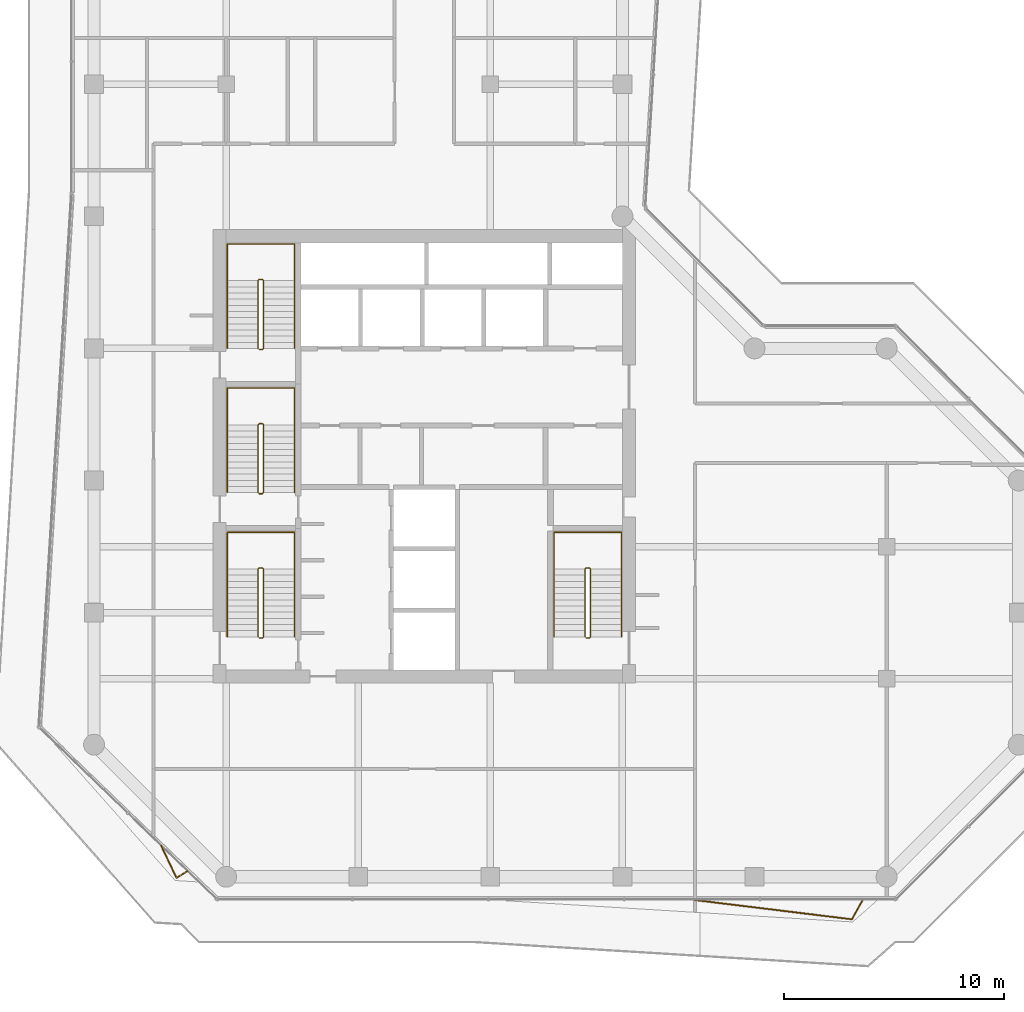
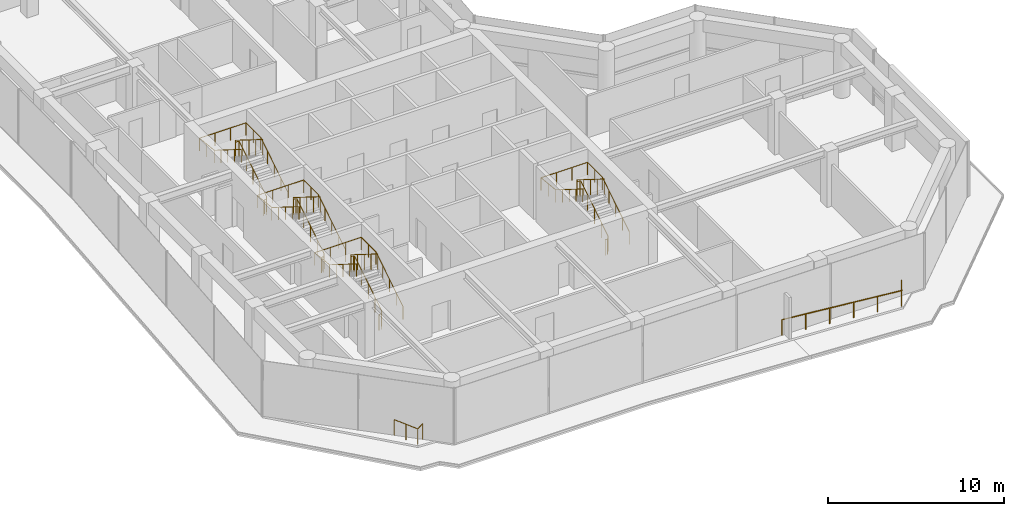
# One storey, part 21 of 22: 10 railings.
"""IFC4 building model written with IfcOpenShell, lengths in metres."""

from ifc_helpers import new_model, si_unit, direction, frame, origin, origin_2d, place, context, subcontext, project, spatial, circle, extrude, material, type_object, element, save


model = new_model("IFC4")

# Units and contexts
model_context = context("Model", 3, precision=1e-05, world=origin(), true_north=direction((0.0, 1.0)))
body_context = subcontext(model_context, "Body", "Model", "MODEL_VIEW")
ifc_project = project(units=[si_unit("LENGTHUNIT", "METRE"), si_unit("AREAUNIT", "SQUARE_METRE"), si_unit("VOLUMEUNIT", "CUBIC_METRE"), si_unit("PLANEANGLEUNIT", "RADIAN"), si_unit("MASSUNIT", "GRAM", prefix="KILO")], contexts=[model_context])

# Site, building, storey
site_placement = place(None, origin())
site = spatial("IfcSite", under=ifc_project, at=site_placement, CompositionType="ELEMENT")
building_placement = place(site_placement, origin())
building = spatial("IfcBuilding", under=site, at=building_placement, Name="Welwitschia Terrace Campus", CompositionType="ELEMENT")
storey_placement = place(building_placement, frame((0.0, 0.0, 155.0)))
storey = spatial("IfcBuildingStorey", under=building, at=storey_placement, Name="L34", CompositionType="ELEMENT", Elevation=155.0)

# Railings
ifc_material_1 = material(Name="Stainless steel grade 316", Category="steel")
railing_type_1 = type_object("IfcRailingType", Name="Guard 1100", PredefinedType="GUARDRAIL", material=ifc_material_1)
railing_1_placement = place(storey_placement, frame((4.24169921875, -3.741455078125, 0.0)))
element("IfcRailing", 1, at=railing_1_placement, inside=storey, type_object=railing_type_1, Name="Guard floor edge L34.1", PredefinedType="GUARDRAIL", context=body_context, shape_type="SweptSolid", body=[
    extrude(circle(Radius=0.02392578125, at=origin_2d()), frame((0.0, 0.0, 1.076171875), z_axis=(-0.845954224007, -0.533255521195, 0.0), x_axis=(0.533255521195, -0.845954224007, 0.0)), (0.0, 0.0, 1.0), 0.58544921875),
    extrude(circle(Radius=0.02392578125, at=origin_2d()), frame((-0.495361328125, -0.312255859375, 1.076171875), z_axis=(-0.431354973563, 0.902182291326, 0.0), x_axis=(-0.902182291326, -0.431354973563, 0.0)), (0.0, 0.0, 1.0), 1.6328125),
    extrude(circle(Radius=0.02099609375, at=origin_2d()), origin(), (0.0, 0.0, 1.0), 1.052001953125),
    extrude(circle(Radius=0.02099609375, at=origin_2d()), frame((-0.495361328125, -0.312255859375, 0.0)), (0.0, 0.0, 1.0), 1.052001953125),
    extrude(circle(Radius=0.02099609375, at=origin_2d()), frame((-0.84765625, 0.42431640625, 0.0)), (0.0, 0.0, 1.0), 1.052001953125),
    extrude(circle(Radius=0.02099609375, at=origin_2d()), frame((-1.19970703125, 1.160888671875, 0.0)), (0.0, 0.0, 1.0), 1.052001953125),
])
railing_2_placement = place(storey_placement, frame((34.92626953125, -5.030029296875, 0.0)))
element("IfcRailing", 2, at=railing_2_placement, inside=storey, type_object=railing_type_1, Name="Guard floor edge L34.3", PredefinedType="GUARDRAIL", context=body_context, shape_type="SweptSolid", body=[
    extrude(circle(Radius=0.02392578125, at=origin_2d()), frame((0.0, 0.0, 1.076171875), z_axis=(-0.491730200301, -0.870747615622, 0.0), x_axis=(0.870747615622, -0.491730200301, 0.0)), (0.0, 0.0, 1.0), 1.033203125),
    extrude(circle(Radius=0.02392578125, at=origin_2d()), frame((-0.508056640625, -0.899658203125, 1.076171875), z_axis=(-0.992594583606, 0.12147424664, 0.0), x_axis=(-0.12147424664, -0.992594583606, 0.0)), (0.0, 0.0, 1.0), 7.40625),
    extrude(circle(Radius=0.02099609375, at=origin_2d()), origin(), (0.0, 0.0, 1.0), 1.052001953125),
    extrude(circle(Radius=0.02099609375, at=origin_2d()), frame((-0.508056640625, -0.899658203125, 0.0)), (0.0, 0.0, 1.0), 1.052001953125),
    extrude(circle(Radius=0.02099609375, at=origin_2d()), frame((-1.978271484375, -0.7197265625, 0.0)), (0.0, 0.0, 1.0), 1.052001953125),
    extrude(circle(Radius=0.02099609375, at=origin_2d()), frame((-3.448486328125, -0.539794921875, 0.0)), (0.0, 0.0, 1.0), 1.052001953125),
    extrude(circle(Radius=0.02099609375, at=origin_2d()), frame((-4.9189453125, -0.35986328125, 0.0)), (0.0, 0.0, 1.0), 1.052001953125),
    extrude(circle(Radius=0.02099609375, at=origin_2d()), frame((-6.38916015625, -0.179931640625, 0.0)), (0.0, 0.0, 1.0), 1.052001953125),
    extrude(circle(Radius=0.02099609375, at=origin_2d()), frame((-7.859375, 0.0, 0.0)), (0.0, 0.0, 1.0), 1.052001953125),
])
ifc_material_2 = material(Name="Steel S355", Category="steel")
railing_type_2 = type_object("IfcRailingType", Name="Stair guard 1100", PredefinedType="GUARDRAIL", material=ifc_material_2)
railing_3_placement = place(storey_placement, frame((7.5, 6.85009765625, 0.0)))
element("IfcRailing", 3, at=railing_3_placement, inside=storey, type_object=railing_type_2, Name="L34 S1 stair guard", PredefinedType="GUARDRAIL", context=body_context, shape_type="SweptSolid", body=[
    extrude(circle(Radius=0.02392578125, at=origin_2d()), frame((0.0, 0.0, 1.076171875), z_axis=(1.0, 0.0, 0.0), x_axis=(0.0, 1.0, 0.0)), (0.0, 0.0, 1.0), 0.14990234375),
    extrude(circle(Radius=0.02392578125, at=origin_2d()), frame((0.14990234375, 0.0, 1.076171875), z_axis=(0.265155923931, 0.263862480399, 0.927399011991), x_axis=(-0.705375805398, 0.708833529934, 0.0)), (0.0, 0.0, 1.0), 0.188720703125),
    extrude(circle(Radius=0.02392578125, at=origin_2d()), frame((0.199951171875, 0.0498046875, 1.2509765625), z_axis=(0.0, 0.847998304005, 0.529998940003), x_axis=(-1.0, 0.0, 0.0)), (0.0, 0.0, 1.0), 3.632080078125),
    extrude(circle(Radius=0.02392578125, at=origin_2d()), frame((0.199951171875, 3.1298828125, 3.17626953125), z_axis=(-0.707106781187, 0.707106781187, 0.0), x_axis=(-0.707106781187, -0.707106781187, 0.0)), (0.0, 0.0, 1.0), 0.07080078125),
    extrude(circle(Radius=0.02392578125, at=origin_2d()), frame((0.14990234375, 3.179931640625, 3.17626953125), z_axis=(-1.0, 0.0, 0.0), x_axis=(0.0, -1.0, 0.0)), (0.0, 0.0, 1.0), 0.14990234375),
    extrude(circle(Radius=0.02392578125, at=origin_2d()), frame((0.0, 3.179931640625, 3.17626953125), z_axis=(-0.265383341853, -0.265383341853, 0.926899867156), x_axis=(0.707106781187, -0.707106781187, 0.0)), (0.0, 0.0, 1.0), 0.1884765625),
    extrude(circle(Radius=0.02392578125, at=origin_2d()), frame((-0.050048828125, 3.1298828125, 3.35107421875), z_axis=(0.0, -0.847998304005, 0.529998940003), x_axis=(1.0, 0.0, 0.0)), (0.0, 0.0, 1.0), 3.632080078125),
    extrude(circle(Radius=0.02099609375, at=origin_2d()), origin(), (0.0, 0.0, 1.0), 1.052001953125),
    extrude(circle(Radius=0.02099609375, at=origin_2d()), frame((0.14990234375, 0.0, 0.0)), (0.0, 0.0, 1.0), 1.052001953125),
    extrude(circle(Radius=0.02099609375, at=origin_2d()), frame((0.199951171875, 0.0498046875, 0.175048828125)), (0.0, 0.0, 1.0), 1.052001953125),
    extrude(circle(Radius=0.02099609375, at=origin_2d()), frame((0.199951171875, 0.81982421875, 0.65625)), (0.0, 0.0, 1.0), 1.052001953125),
    extrude(circle(Radius=0.02099609375, at=origin_2d()), frame((0.199951171875, 1.58984375, 1.1376953125)), (0.0, 0.0, 1.0), 1.052001953125),
    extrude(circle(Radius=0.02099609375, at=origin_2d()), frame((0.199951171875, 2.35986328125, 1.618896484375)), (0.0, 0.0, 1.0), 1.052001953125),
    extrude(circle(Radius=0.02099609375, at=origin_2d()), frame((0.199951171875, 3.1298828125, 2.10009765625)), (0.0, 0.0, 1.0), 1.052001953125),
    extrude(circle(Radius=0.02099609375, at=origin_2d()), frame((0.14990234375, 3.179931640625, 2.10009765625)), (0.0, 0.0, 1.0), 1.052001953125),
    extrude(circle(Radius=0.02099609375, at=origin_2d()), frame((0.0, 3.179931640625, 2.10009765625)), (0.0, 0.0, 1.0), 1.052001953125),
    extrude(circle(Radius=0.02099609375, at=origin_2d()), frame((-0.050048828125, 3.1298828125, 2.27490234375)), (0.0, 0.0, 1.0), 1.052001953125),
    extrude(circle(Radius=0.02099609375, at=origin_2d()), frame((-0.050048828125, 2.35986328125, 2.756103515625)), (0.0, 0.0, 1.0), 1.052001953125),
    extrude(circle(Radius=0.02099609375, at=origin_2d()), frame((-0.050048828125, 1.58984375, 3.2373046875)), (0.0, 0.0, 1.0), 1.052001953125),
    extrude(circle(Radius=0.02099609375, at=origin_2d()), frame((-0.050048828125, 0.81982421875, 3.71875)), (0.0, 0.0, 1.0), 1.052001953125),
    extrude(circle(Radius=0.02099609375, at=origin_2d()), frame((-0.050048828125, 0.0498046875, 4.199951171875)), (0.0, 0.0, 1.0), 1.052001953125),
])
railing_4_placement = place(storey_placement, frame((7.5, 13.39990234375, 0.0)))
element("IfcRailing", 4, at=railing_4_placement, inside=storey, type_object=railing_type_2, Name="L34 S3 stair guard", PredefinedType="GUARDRAIL", context=body_context, shape_type="SweptSolid", body=[
    extrude(circle(Radius=0.02392578125, at=origin_2d()), frame((0.0, 0.0, 1.076171875), z_axis=(1.0, 0.0, 0.0), x_axis=(0.0, 1.0, 0.0)), (0.0, 0.0, 1.0), 0.14990234375),
    extrude(circle(Radius=0.02392578125, at=origin_2d()), frame((0.14990234375, 0.0, 1.076171875), z_axis=(0.265065253269, 0.265065253269, 0.927081885822), x_axis=(-0.707106781187, 0.707106781187, 0.0)), (0.0, 0.0, 1.0), 0.188720703125),
    extrude(circle(Radius=0.02392578125, at=origin_2d()), frame((0.199951171875, 0.050048828125, 1.2509765625), z_axis=(0.0, 0.847998304005, 0.529998940003), x_axis=(-1.0, 0.0, 0.0)), (0.0, 0.0, 1.0), 3.632080078125),
    extrude(circle(Radius=0.02392578125, at=origin_2d()), frame((0.199951171875, 3.130126953125, 3.17626953125), z_axis=(-0.707106781187, 0.707106781187, 0.0), x_axis=(-0.707106781187, -0.707106781187, 0.0)), (0.0, 0.0, 1.0), 0.07080078125),
    extrude(circle(Radius=0.02392578125, at=origin_2d()), frame((0.14990234375, 3.18017578125, 3.17626953125), z_axis=(-1.0, 0.0, 0.0), x_axis=(0.0, -1.0, 0.0)), (0.0, 0.0, 1.0), 0.14990234375),
    extrude(circle(Radius=0.02392578125, at=origin_2d()), frame((0.0, 3.18017578125, 3.17626953125), z_axis=(-0.265383341853, -0.265383341853, 0.926899867156), x_axis=(0.707106781187, -0.707106781187, 0.0)), (0.0, 0.0, 1.0), 0.1884765625),
    extrude(circle(Radius=0.02392578125, at=origin_2d()), frame((-0.050048828125, 3.130126953125, 3.35107421875), z_axis=(0.0, -0.847998304005, 0.529998940003), x_axis=(1.0, 0.0, 0.0)), (0.0, 0.0, 1.0), 3.632080078125),
    extrude(circle(Radius=0.02099609375, at=origin_2d()), origin(), (0.0, 0.0, 1.0), 1.052001953125),
    extrude(circle(Radius=0.02099609375, at=origin_2d()), frame((0.14990234375, 0.0, 0.0)), (0.0, 0.0, 1.0), 1.052001953125),
    extrude(circle(Radius=0.02099609375, at=origin_2d()), frame((0.199951171875, 0.050048828125, 0.175048828125)), (0.0, 0.0, 1.0), 1.052001953125),
    extrude(circle(Radius=0.02099609375, at=origin_2d()), frame((0.199951171875, 0.820068359375, 0.65625)), (0.0, 0.0, 1.0), 1.052001953125),
    extrude(circle(Radius=0.02099609375, at=origin_2d()), frame((0.199951171875, 1.590087890625, 1.1376953125)), (0.0, 0.0, 1.0), 1.052001953125),
    extrude(circle(Radius=0.02099609375, at=origin_2d()), frame((0.199951171875, 2.360107421875, 1.618896484375)), (0.0, 0.0, 1.0), 1.052001953125),
    extrude(circle(Radius=0.02099609375, at=origin_2d()), frame((0.199951171875, 3.130126953125, 2.10009765625)), (0.0, 0.0, 1.0), 1.052001953125),
    extrude(circle(Radius=0.02099609375, at=origin_2d()), frame((0.14990234375, 3.18017578125, 2.10009765625)), (0.0, 0.0, 1.0), 1.052001953125),
    extrude(circle(Radius=0.02099609375, at=origin_2d()), frame((0.0, 3.18017578125, 2.10009765625)), (0.0, 0.0, 1.0), 1.052001953125),
    extrude(circle(Radius=0.02099609375, at=origin_2d()), frame((-0.050048828125, 3.130126953125, 2.27490234375)), (0.0, 0.0, 1.0), 1.052001953125),
    extrude(circle(Radius=0.02099609375, at=origin_2d()), frame((-0.050048828125, 2.360107421875, 2.756103515625)), (0.0, 0.0, 1.0), 1.052001953125),
    extrude(circle(Radius=0.02099609375, at=origin_2d()), frame((-0.050048828125, 1.590087890625, 3.2373046875)), (0.0, 0.0, 1.0), 1.052001953125),
    extrude(circle(Radius=0.02099609375, at=origin_2d()), frame((-0.050048828125, 0.820068359375, 3.71875)), (0.0, 0.0, 1.0), 1.052001953125),
    extrude(circle(Radius=0.02099609375, at=origin_2d()), frame((-0.050048828125, 0.050048828125, 4.199951171875)), (0.0, 0.0, 1.0), 1.052001953125),
])
railing_5_placement = place(storey_placement, frame((7.5, 19.949951171875, 0.0)))
element("IfcRailing", 5, at=railing_5_placement, inside=storey, type_object=railing_type_2, Name="L34 S4 stair guard", PredefinedType="GUARDRAIL", context=body_context, shape_type="SweptSolid", body=[
    extrude(circle(Radius=0.02392578125, at=origin_2d()), frame((0.0, 0.0, 1.076171875), z_axis=(1.0, 0.0, 0.0), x_axis=(0.0, 1.0, 0.0)), (0.0, 0.0, 1.0), 0.14990234375),
    extrude(circle(Radius=0.02392578125, at=origin_2d()), frame((0.14990234375, 0.0, 1.076171875), z_axis=(0.265065253269, 0.265065253269, 0.927081885822), x_axis=(-0.707106781187, 0.707106781187, 0.0)), (0.0, 0.0, 1.0), 0.188720703125),
    extrude(circle(Radius=0.02392578125, at=origin_2d()), frame((0.199951171875, 0.050048828125, 1.2509765625), z_axis=(0.0, 0.847998304005, 0.529998940003), x_axis=(-1.0, 0.0, 0.0)), (0.0, 0.0, 1.0), 3.632080078125),
    extrude(circle(Radius=0.02392578125, at=origin_2d()), frame((0.199951171875, 3.130126953125, 3.17626953125), z_axis=(-0.708833529934, 0.705375805398, 0.0), x_axis=(-0.705375805398, -0.708833529934, 0.0)), (0.0, 0.0, 1.0), 0.070556640625),
    extrude(circle(Radius=0.02392578125, at=origin_2d()), frame((0.14990234375, 3.179931640625, 3.17626953125), z_axis=(-1.0, 0.0, 0.0), x_axis=(0.0, -1.0, 0.0)), (0.0, 0.0, 1.0), 0.14990234375),
    extrude(circle(Radius=0.02392578125, at=origin_2d()), frame((0.0, 3.179931640625, 3.17626953125), z_axis=(-0.265474339444, -0.264179342666, 0.927217692888), x_axis=(0.705375805398, -0.708833529934, 0.0)), (0.0, 0.0, 1.0), 0.1884765625),
    extrude(circle(Radius=0.02392578125, at=origin_2d()), frame((-0.050048828125, 3.130126953125, 3.35107421875), z_axis=(0.0, -0.847998304005, 0.529998940003), x_axis=(1.0, 0.0, 0.0)), (0.0, 0.0, 1.0), 3.632080078125),
    extrude(circle(Radius=0.02099609375, at=origin_2d()), origin(), (0.0, 0.0, 1.0), 1.052001953125),
    extrude(circle(Radius=0.02099609375, at=origin_2d()), frame((0.14990234375, 0.0, 0.0)), (0.0, 0.0, 1.0), 1.052001953125),
    extrude(circle(Radius=0.02099609375, at=origin_2d()), frame((0.199951171875, 0.050048828125, 0.175048828125)), (0.0, 0.0, 1.0), 1.052001953125),
    extrude(circle(Radius=0.02099609375, at=origin_2d()), frame((0.199951171875, 0.820068359375, 0.65625)), (0.0, 0.0, 1.0), 1.052001953125),
    extrude(circle(Radius=0.02099609375, at=origin_2d()), frame((0.199951171875, 1.590087890625, 1.1376953125)), (0.0, 0.0, 1.0), 1.052001953125),
    extrude(circle(Radius=0.02099609375, at=origin_2d()), frame((0.199951171875, 2.360107421875, 1.618896484375)), (0.0, 0.0, 1.0), 1.052001953125),
    extrude(circle(Radius=0.02099609375, at=origin_2d()), frame((0.199951171875, 3.130126953125, 2.10009765625)), (0.0, 0.0, 1.0), 1.052001953125),
    extrude(circle(Radius=0.02099609375, at=origin_2d()), frame((0.14990234375, 3.179931640625, 2.10009765625)), (0.0, 0.0, 1.0), 1.052001953125),
    extrude(circle(Radius=0.02099609375, at=origin_2d()), frame((0.0, 3.179931640625, 2.10009765625)), (0.0, 0.0, 1.0), 1.052001953125),
    extrude(circle(Radius=0.02099609375, at=origin_2d()), frame((-0.050048828125, 3.130126953125, 2.27490234375)), (0.0, 0.0, 1.0), 1.052001953125),
    extrude(circle(Radius=0.02099609375, at=origin_2d()), frame((-0.050048828125, 2.360107421875, 2.756103515625)), (0.0, 0.0, 1.0), 1.052001953125),
    extrude(circle(Radius=0.02099609375, at=origin_2d()), frame((-0.050048828125, 1.590087890625, 3.2373046875)), (0.0, 0.0, 1.0), 1.052001953125),
    extrude(circle(Radius=0.02099609375, at=origin_2d()), frame((-0.050048828125, 0.820068359375, 3.71875)), (0.0, 0.0, 1.0), 1.052001953125),
    extrude(circle(Radius=0.02099609375, at=origin_2d()), frame((-0.050048828125, 0.050048828125, 4.199951171875)), (0.0, 0.0, 1.0), 1.052001953125),
])
railing_6_placement = place(storey_placement, frame((22.35009765625, 6.85009765625, 0.0)))
element("IfcRailing", 6, at=railing_6_placement, inside=storey, type_object=railing_type_2, Name="L34 S2 stair guard", PredefinedType="GUARDRAIL", context=body_context, shape_type="SweptSolid", body=[
    extrude(circle(Radius=0.02392578125, at=origin_2d()), frame((0.0, 0.0, 1.076171875), z_axis=(1.0, 0.0, 0.0), x_axis=(0.0, 1.0, 0.0)), (0.0, 0.0, 1.0), 0.14990234375),
    extrude(circle(Radius=0.02392578125, at=origin_2d()), frame((0.14990234375, 0.0, 1.076171875), z_axis=(0.265155923931, 0.263862480399, 0.927399011991), x_axis=(-0.705375805398, 0.708833529934, 0.0)), (0.0, 0.0, 1.0), 0.188720703125),
    extrude(circle(Radius=0.02392578125, at=origin_2d()), frame((0.199951171875, 0.0498046875, 1.2509765625), z_axis=(0.0, 0.847998304005, 0.529998940003), x_axis=(-1.0, 0.0, 0.0)), (0.0, 0.0, 1.0), 3.632080078125),
    extrude(circle(Radius=0.02392578125, at=origin_2d()), frame((0.199951171875, 3.1298828125, 3.17626953125), z_axis=(-0.707106781187, 0.707106781187, 0.0), x_axis=(-0.707106781187, -0.707106781187, 0.0)), (0.0, 0.0, 1.0), 0.07080078125),
    extrude(circle(Radius=0.02392578125, at=origin_2d()), frame((0.14990234375, 3.179931640625, 3.17626953125), z_axis=(-1.0, 0.0, 0.0), x_axis=(0.0, -1.0, 0.0)), (0.0, 0.0, 1.0), 0.14990234375),
    extrude(circle(Radius=0.02392578125, at=origin_2d()), frame((0.0, 3.179931640625, 3.17626953125), z_axis=(-0.265383341853, -0.265383341853, 0.926899867156), x_axis=(0.707106781187, -0.707106781187, 0.0)), (0.0, 0.0, 1.0), 0.1884765625),
    extrude(circle(Radius=0.02392578125, at=origin_2d()), frame((-0.050048828125, 3.1298828125, 3.35107421875), z_axis=(0.0, -0.847998304005, 0.529998940003), x_axis=(1.0, 0.0, 0.0)), (0.0, 0.0, 1.0), 3.632080078125),
    extrude(circle(Radius=0.02099609375, at=origin_2d()), origin(), (0.0, 0.0, 1.0), 1.052001953125),
    extrude(circle(Radius=0.02099609375, at=origin_2d()), frame((0.14990234375, 0.0, 0.0)), (0.0, 0.0, 1.0), 1.052001953125),
    extrude(circle(Radius=0.02099609375, at=origin_2d()), frame((0.199951171875, 0.0498046875, 0.175048828125)), (0.0, 0.0, 1.0), 1.052001953125),
    extrude(circle(Radius=0.02099609375, at=origin_2d()), frame((0.199951171875, 0.81982421875, 0.65625)), (0.0, 0.0, 1.0), 1.052001953125),
    extrude(circle(Radius=0.02099609375, at=origin_2d()), frame((0.199951171875, 1.58984375, 1.1376953125)), (0.0, 0.0, 1.0), 1.052001953125),
    extrude(circle(Radius=0.02099609375, at=origin_2d()), frame((0.199951171875, 2.35986328125, 1.618896484375)), (0.0, 0.0, 1.0), 1.052001953125),
    extrude(circle(Radius=0.02099609375, at=origin_2d()), frame((0.199951171875, 3.1298828125, 2.10009765625)), (0.0, 0.0, 1.0), 1.052001953125),
    extrude(circle(Radius=0.02099609375, at=origin_2d()), frame((0.14990234375, 3.179931640625, 2.10009765625)), (0.0, 0.0, 1.0), 1.052001953125),
    extrude(circle(Radius=0.02099609375, at=origin_2d()), frame((0.0, 3.179931640625, 2.10009765625)), (0.0, 0.0, 1.0), 1.052001953125),
    extrude(circle(Radius=0.02099609375, at=origin_2d()), frame((-0.050048828125, 3.1298828125, 2.27490234375)), (0.0, 0.0, 1.0), 1.052001953125),
    extrude(circle(Radius=0.02099609375, at=origin_2d()), frame((-0.050048828125, 2.35986328125, 2.756103515625)), (0.0, 0.0, 1.0), 1.052001953125),
    extrude(circle(Radius=0.02099609375, at=origin_2d()), frame((-0.050048828125, 1.58984375, 3.2373046875)), (0.0, 0.0, 1.0), 1.052001953125),
    extrude(circle(Radius=0.02099609375, at=origin_2d()), frame((-0.050048828125, 0.81982421875, 3.71875)), (0.0, 0.0, 1.0), 1.052001953125),
    extrude(circle(Radius=0.02099609375, at=origin_2d()), frame((-0.050048828125, 0.0498046875, 4.199951171875)), (0.0, 0.0, 1.0), 1.052001953125),
])
ifc_material_3 = material(Name="Steel S355", Category="steel")
railing_type_3 = type_object("IfcRailingType", Name="Stair handrail 900", PredefinedType="HANDRAIL", material=ifc_material_3)
railing_7_placement = place(storey_placement, frame((9.10009765625, 6.89990234375, 0.175048828125)))
element("IfcRailing", 7, at=railing_7_placement, inside=storey, type_object=railing_type_3, Name="L34 S1 stair handrail", PredefinedType="HANDRAIL", context=body_context, shape_type="SweptSolid", body=[
    extrude(circle(Radius=0.02392578125, at=origin_2d()), frame((0.0, 0.0, 0.8759765625), z_axis=(0.0, 0.847998304005, 0.529998940003), x_axis=(-1.0, 0.0, 0.0)), (0.0, 0.0, 1.0), 3.632080078125),
    extrude(circle(Radius=0.02392578125, at=origin_2d()), frame((0.0, 3.080078125, 2.80078125), z_axis=(0.0, 1.0, 0.0), x_axis=(-1.0, 0.0, 0.0)), (0.0, 0.0, 1.0), 1.669921875),
    extrude(circle(Radius=0.02392578125, at=origin_2d()), frame((0.0, 4.75, 2.80078125), z_axis=(-1.0, 0.0, 0.0), x_axis=(0.0, -1.0, 0.0)), (0.0, 0.0, 1.0), 3.050048828125),
    extrude(circle(Radius=0.02392578125, at=origin_2d()), frame((-3.050048828125, 4.75, 2.80078125), z_axis=(0.0, -0.994565838508, 0.104109523446), x_axis=(1.0, 0.0, 0.0)), (0.0, 0.0, 1.0), 1.678955078125),
    extrude(circle(Radius=0.02392578125, at=origin_2d()), frame((-3.050048828125, 3.080078125, 2.9755859375), z_axis=(0.0, -0.847998304005, 0.529998940003), x_axis=(1.0, 0.0, 0.0)), (0.0, 0.0, 1.0), 3.632080078125),
    extrude(circle(Radius=0.02099609375, at=origin_2d()), origin(), (0.0, 0.0, 1.0), 0.851806640625),
    extrude(circle(Radius=0.02099609375, at=origin_2d()), frame((0.0, 0.77001953125, 0.481201171875)), (0.0, 0.0, 1.0), 0.851806640625),
    extrude(circle(Radius=0.02099609375, at=origin_2d()), frame((0.0, 1.5400390625, 0.96240234375)), (0.0, 0.0, 1.0), 0.851806640625),
    extrude(circle(Radius=0.02099609375, at=origin_2d()), frame((0.0, 2.31005859375, 1.44384765625)), (0.0, 0.0, 1.0), 0.851806640625),
    extrude(circle(Radius=0.02099609375, at=origin_2d()), frame((0.0, 3.080078125, 1.925048828125)), (0.0, 0.0, 1.0), 0.851806640625),
    extrude(circle(Radius=0.02099609375, at=origin_2d()), frame((0.0, 3.9150390625, 1.925048828125)), (0.0, 0.0, 1.0), 0.851806640625),
    extrude(circle(Radius=0.02099609375, at=origin_2d()), frame((0.0, 4.75, 1.925048828125)), (0.0, 0.0, 1.0), 0.851806640625),
    extrude(circle(Radius=0.02099609375, at=origin_2d()), frame((-1.0166015625, 4.75, 1.925048828125)), (0.0, 0.0, 1.0), 0.851806640625),
    extrude(circle(Radius=0.02099609375, at=origin_2d()), frame((-2.033447265625, 4.75, 1.925048828125)), (0.0, 0.0, 1.0), 0.851806640625),
    extrude(circle(Radius=0.02099609375, at=origin_2d()), frame((-3.050048828125, 4.75, 1.925048828125)), (0.0, 0.0, 1.0), 0.851806640625),
    extrude(circle(Radius=0.02099609375, at=origin_2d()), frame((-3.050048828125, 3.9150390625, 2.012451171875)), (0.0, 0.0, 1.0), 0.851806640625),
    extrude(circle(Radius=0.02099609375, at=origin_2d()), frame((-3.050048828125, 3.080078125, 2.099853515625)), (0.0, 0.0, 1.0), 0.851806640625),
    extrude(circle(Radius=0.02099609375, at=origin_2d()), frame((-3.050048828125, 2.31005859375, 2.5810546875)), (0.0, 0.0, 1.0), 0.851806640625),
    extrude(circle(Radius=0.02099609375, at=origin_2d()), frame((-3.050048828125, 1.5400390625, 3.0625)), (0.0, 0.0, 1.0), 0.851806640625),
    extrude(circle(Radius=0.02099609375, at=origin_2d()), frame((-3.050048828125, 0.77001953125, 3.543701171875)), (0.0, 0.0, 1.0), 0.851806640625),
    extrude(circle(Radius=0.02099609375, at=origin_2d()), frame((-3.050048828125, 0.0, 4.02490234375)), (0.0, 0.0, 1.0), 0.851806640625),
])
railing_8_placement = place(storey_placement, frame((9.10009765625, 13.449951171875, 0.175048828125)))
element("IfcRailing", 8, at=railing_8_placement, inside=storey, type_object=railing_type_3, Name="L34 S3 stair handrail", PredefinedType="HANDRAIL", context=body_context, shape_type="SweptSolid", body=[
    extrude(circle(Radius=0.02392578125, at=origin_2d()), frame((0.0, 0.0, 0.8759765625), z_axis=(0.0, 0.847998304005, 0.529998940003), x_axis=(-1.0, 0.0, 0.0)), (0.0, 0.0, 1.0), 3.632080078125),
    extrude(circle(Radius=0.02392578125, at=origin_2d()), frame((0.0, 3.080078125, 2.80078125), z_axis=(0.0, 1.0, 0.0), x_axis=(-1.0, 0.0, 0.0)), (0.0, 0.0, 1.0), 1.669921875),
    extrude(circle(Radius=0.02392578125, at=origin_2d()), frame((0.0, 4.75, 2.80078125), z_axis=(-1.0, 0.0, 0.0), x_axis=(0.0, -1.0, 0.0)), (0.0, 0.0, 1.0), 3.050048828125),
    extrude(circle(Radius=0.02392578125, at=origin_2d()), frame((-3.050048828125, 4.75, 2.80078125), z_axis=(0.0, -0.994565838508, 0.104109523446), x_axis=(1.0, 0.0, 0.0)), (0.0, 0.0, 1.0), 1.678955078125),
    extrude(circle(Radius=0.02392578125, at=origin_2d()), frame((-3.050048828125, 3.080078125, 2.9755859375), z_axis=(0.0, -0.847998304005, 0.529998940003), x_axis=(1.0, 0.0, 0.0)), (0.0, 0.0, 1.0), 3.632080078125),
    extrude(circle(Radius=0.02099609375, at=origin_2d()), origin(), (0.0, 0.0, 1.0), 0.851806640625),
    extrude(circle(Radius=0.02099609375, at=origin_2d()), frame((0.0, 0.77001953125, 0.481201171875)), (0.0, 0.0, 1.0), 0.851806640625),
    extrude(circle(Radius=0.02099609375, at=origin_2d()), frame((0.0, 1.5400390625, 0.96240234375)), (0.0, 0.0, 1.0), 0.851806640625),
    extrude(circle(Radius=0.02099609375, at=origin_2d()), frame((0.0, 2.31005859375, 1.44384765625)), (0.0, 0.0, 1.0), 0.851806640625),
    extrude(circle(Radius=0.02099609375, at=origin_2d()), frame((0.0, 3.080078125, 1.925048828125)), (0.0, 0.0, 1.0), 0.851806640625),
    extrude(circle(Radius=0.02099609375, at=origin_2d()), frame((0.0, 3.9150390625, 1.925048828125)), (0.0, 0.0, 1.0), 0.851806640625),
    extrude(circle(Radius=0.02099609375, at=origin_2d()), frame((0.0, 4.75, 1.925048828125)), (0.0, 0.0, 1.0), 0.851806640625),
    extrude(circle(Radius=0.02099609375, at=origin_2d()), frame((-1.0166015625, 4.75, 1.925048828125)), (0.0, 0.0, 1.0), 0.851806640625),
    extrude(circle(Radius=0.02099609375, at=origin_2d()), frame((-2.033447265625, 4.75, 1.925048828125)), (0.0, 0.0, 1.0), 0.851806640625),
    extrude(circle(Radius=0.02099609375, at=origin_2d()), frame((-3.050048828125, 4.75, 1.925048828125)), (0.0, 0.0, 1.0), 0.851806640625),
    extrude(circle(Radius=0.02099609375, at=origin_2d()), frame((-3.050048828125, 3.9150390625, 2.012451171875)), (0.0, 0.0, 1.0), 0.851806640625),
    extrude(circle(Radius=0.02099609375, at=origin_2d()), frame((-3.050048828125, 3.080078125, 2.099853515625)), (0.0, 0.0, 1.0), 0.851806640625),
    extrude(circle(Radius=0.02099609375, at=origin_2d()), frame((-3.050048828125, 2.31005859375, 2.5810546875)), (0.0, 0.0, 1.0), 0.851806640625),
    extrude(circle(Radius=0.02099609375, at=origin_2d()), frame((-3.050048828125, 1.5400390625, 3.0625)), (0.0, 0.0, 1.0), 0.851806640625),
    extrude(circle(Radius=0.02099609375, at=origin_2d()), frame((-3.050048828125, 0.77001953125, 3.543701171875)), (0.0, 0.0, 1.0), 0.851806640625),
    extrude(circle(Radius=0.02099609375, at=origin_2d()), frame((-3.050048828125, 0.0, 4.02490234375)), (0.0, 0.0, 1.0), 0.851806640625),
])
railing_9_placement = place(storey_placement, frame((9.10009765625, 20.0, 0.175048828125)))
element("IfcRailing", 9, at=railing_9_placement, inside=storey, type_object=railing_type_3, Name="L34 S4 stair handrail", PredefinedType="HANDRAIL", context=body_context, shape_type="SweptSolid", body=[
    extrude(circle(Radius=0.02392578125, at=origin_2d()), frame((0.0, 0.0, 0.8759765625), z_axis=(0.0, 0.847998304005, 0.529998940003), x_axis=(-1.0, 0.0, 0.0)), (0.0, 0.0, 1.0), 3.632080078125),
    extrude(circle(Radius=0.02392578125, at=origin_2d()), frame((0.0, 3.080078125, 2.80078125), z_axis=(0.0, 1.0, 0.0), x_axis=(-1.0, 0.0, 0.0)), (0.0, 0.0, 1.0), 1.669921875),
    extrude(circle(Radius=0.02392578125, at=origin_2d()), frame((0.0, 4.75, 2.80078125), z_axis=(-1.0, 0.0, 0.0), x_axis=(0.0, -1.0, 0.0)), (0.0, 0.0, 1.0), 3.050048828125),
    extrude(circle(Radius=0.02392578125, at=origin_2d()), frame((-3.050048828125, 4.75, 2.80078125), z_axis=(0.0, -0.994565838508, 0.104109523446), x_axis=(1.0, 0.0, 0.0)), (0.0, 0.0, 1.0), 1.678955078125),
    extrude(circle(Radius=0.02392578125, at=origin_2d()), frame((-3.050048828125, 3.080078125, 2.9755859375), z_axis=(0.0, -0.847998304005, 0.529998940003), x_axis=(1.0, 0.0, 0.0)), (0.0, 0.0, 1.0), 3.632080078125),
    extrude(circle(Radius=0.02099609375, at=origin_2d()), origin(), (0.0, 0.0, 1.0), 0.851806640625),
    extrude(circle(Radius=0.02099609375, at=origin_2d()), frame((0.0, 0.77001953125, 0.481201171875)), (0.0, 0.0, 1.0), 0.851806640625),
    extrude(circle(Radius=0.02099609375, at=origin_2d()), frame((0.0, 1.5400390625, 0.96240234375)), (0.0, 0.0, 1.0), 0.851806640625),
    extrude(circle(Radius=0.02099609375, at=origin_2d()), frame((0.0, 2.31005859375, 1.44384765625)), (0.0, 0.0, 1.0), 0.851806640625),
    extrude(circle(Radius=0.02099609375, at=origin_2d()), frame((0.0, 3.080078125, 1.925048828125)), (0.0, 0.0, 1.0), 0.851806640625),
    extrude(circle(Radius=0.02099609375, at=origin_2d()), frame((0.0, 3.9150390625, 1.925048828125)), (0.0, 0.0, 1.0), 0.851806640625),
    extrude(circle(Radius=0.02099609375, at=origin_2d()), frame((0.0, 4.75, 1.925048828125)), (0.0, 0.0, 1.0), 0.851806640625),
    extrude(circle(Radius=0.02099609375, at=origin_2d()), frame((-1.0166015625, 4.75, 1.925048828125)), (0.0, 0.0, 1.0), 0.851806640625),
    extrude(circle(Radius=0.02099609375, at=origin_2d()), frame((-2.033447265625, 4.75, 1.925048828125)), (0.0, 0.0, 1.0), 0.851806640625),
    extrude(circle(Radius=0.02099609375, at=origin_2d()), frame((-3.050048828125, 4.75, 1.925048828125)), (0.0, 0.0, 1.0), 0.851806640625),
    extrude(circle(Radius=0.02099609375, at=origin_2d()), frame((-3.050048828125, 3.9150390625, 2.012451171875)), (0.0, 0.0, 1.0), 0.851806640625),
    extrude(circle(Radius=0.02099609375, at=origin_2d()), frame((-3.050048828125, 3.080078125, 2.099853515625)), (0.0, 0.0, 1.0), 0.851806640625),
    extrude(circle(Radius=0.02099609375, at=origin_2d()), frame((-3.050048828125, 2.31005859375, 2.5810546875)), (0.0, 0.0, 1.0), 0.851806640625),
    extrude(circle(Radius=0.02099609375, at=origin_2d()), frame((-3.050048828125, 1.5400390625, 3.0625)), (0.0, 0.0, 1.0), 0.851806640625),
    extrude(circle(Radius=0.02099609375, at=origin_2d()), frame((-3.050048828125, 0.77001953125, 3.543701171875)), (0.0, 0.0, 1.0), 0.851806640625),
    extrude(circle(Radius=0.02099609375, at=origin_2d()), frame((-3.050048828125, 0.0, 4.02490234375)), (0.0, 0.0, 1.0), 0.851806640625),
])
railing_10_placement = place(storey_placement, frame((23.949951171875, 6.89990234375, 0.175048828125)))
element("IfcRailing", 10, at=railing_10_placement, inside=storey, type_object=railing_type_3, Name="L34 S2 stair handrail", PredefinedType="HANDRAIL", context=body_context, shape_type="SweptSolid", body=[
    extrude(circle(Radius=0.02392578125, at=origin_2d()), frame((0.0, 0.0, 0.8759765625), z_axis=(0.0, 0.847998304005, 0.529998940003), x_axis=(-1.0, 0.0, 0.0)), (0.0, 0.0, 1.0), 3.632080078125),
    extrude(circle(Radius=0.02392578125, at=origin_2d()), frame((0.0, 3.080078125, 2.80078125), z_axis=(0.0, 1.0, 0.0), x_axis=(-1.0, 0.0, 0.0)), (0.0, 0.0, 1.0), 1.669921875),
    extrude(circle(Radius=0.02392578125, at=origin_2d()), frame((0.0, 4.75, 2.80078125), z_axis=(-1.0, 0.0, 0.0), x_axis=(0.0, -1.0, 0.0)), (0.0, 0.0, 1.0), 3.050048828125),
    extrude(circle(Radius=0.02392578125, at=origin_2d()), frame((-3.050048828125, 4.75, 2.80078125), z_axis=(0.0, -0.994565838508, 0.104109523446), x_axis=(1.0, 0.0, 0.0)), (0.0, 0.0, 1.0), 1.678955078125),
    extrude(circle(Radius=0.02392578125, at=origin_2d()), frame((-3.050048828125, 3.080078125, 2.9755859375), z_axis=(0.0, -0.847998304005, 0.529998940003), x_axis=(1.0, 0.0, 0.0)), (0.0, 0.0, 1.0), 3.632080078125),
    extrude(circle(Radius=0.02099609375, at=origin_2d()), origin(), (0.0, 0.0, 1.0), 0.851806640625),
    extrude(circle(Radius=0.02099609375, at=origin_2d()), frame((0.0, 0.77001953125, 0.481201171875)), (0.0, 0.0, 1.0), 0.851806640625),
    extrude(circle(Radius=0.02099609375, at=origin_2d()), frame((0.0, 1.5400390625, 0.96240234375)), (0.0, 0.0, 1.0), 0.851806640625),
    extrude(circle(Radius=0.02099609375, at=origin_2d()), frame((0.0, 2.31005859375, 1.44384765625)), (0.0, 0.0, 1.0), 0.851806640625),
    extrude(circle(Radius=0.02099609375, at=origin_2d()), frame((0.0, 3.080078125, 1.925048828125)), (0.0, 0.0, 1.0), 0.851806640625),
    extrude(circle(Radius=0.02099609375, at=origin_2d()), frame((0.0, 3.9150390625, 1.925048828125)), (0.0, 0.0, 1.0), 0.851806640625),
    extrude(circle(Radius=0.02099609375, at=origin_2d()), frame((0.0, 4.75, 1.925048828125)), (0.0, 0.0, 1.0), 0.851806640625),
    extrude(circle(Radius=0.02099609375, at=origin_2d()), frame((-1.0166015625, 4.75, 1.925048828125)), (0.0, 0.0, 1.0), 0.851806640625),
    extrude(circle(Radius=0.02099609375, at=origin_2d()), frame((-2.033447265625, 4.75, 1.925048828125)), (0.0, 0.0, 1.0), 0.851806640625),
    extrude(circle(Radius=0.02099609375, at=origin_2d()), frame((-3.050048828125, 4.75, 1.925048828125)), (0.0, 0.0, 1.0), 0.851806640625),
    extrude(circle(Radius=0.02099609375, at=origin_2d()), frame((-3.050048828125, 3.9150390625, 2.012451171875)), (0.0, 0.0, 1.0), 0.851806640625),
    extrude(circle(Radius=0.02099609375, at=origin_2d()), frame((-3.050048828125, 3.080078125, 2.099853515625)), (0.0, 0.0, 1.0), 0.851806640625),
    extrude(circle(Radius=0.02099609375, at=origin_2d()), frame((-3.050048828125, 2.31005859375, 2.5810546875)), (0.0, 0.0, 1.0), 0.851806640625),
    extrude(circle(Radius=0.02099609375, at=origin_2d()), frame((-3.050048828125, 1.5400390625, 3.0625)), (0.0, 0.0, 1.0), 0.851806640625),
    extrude(circle(Radius=0.02099609375, at=origin_2d()), frame((-3.050048828125, 0.77001953125, 3.543701171875)), (0.0, 0.0, 1.0), 0.851806640625),
    extrude(circle(Radius=0.02099609375, at=origin_2d()), frame((-3.050048828125, 0.0, 4.02490234375)), (0.0, 0.0, 1.0), 0.851806640625),
])

save(model, "model.ifc")
